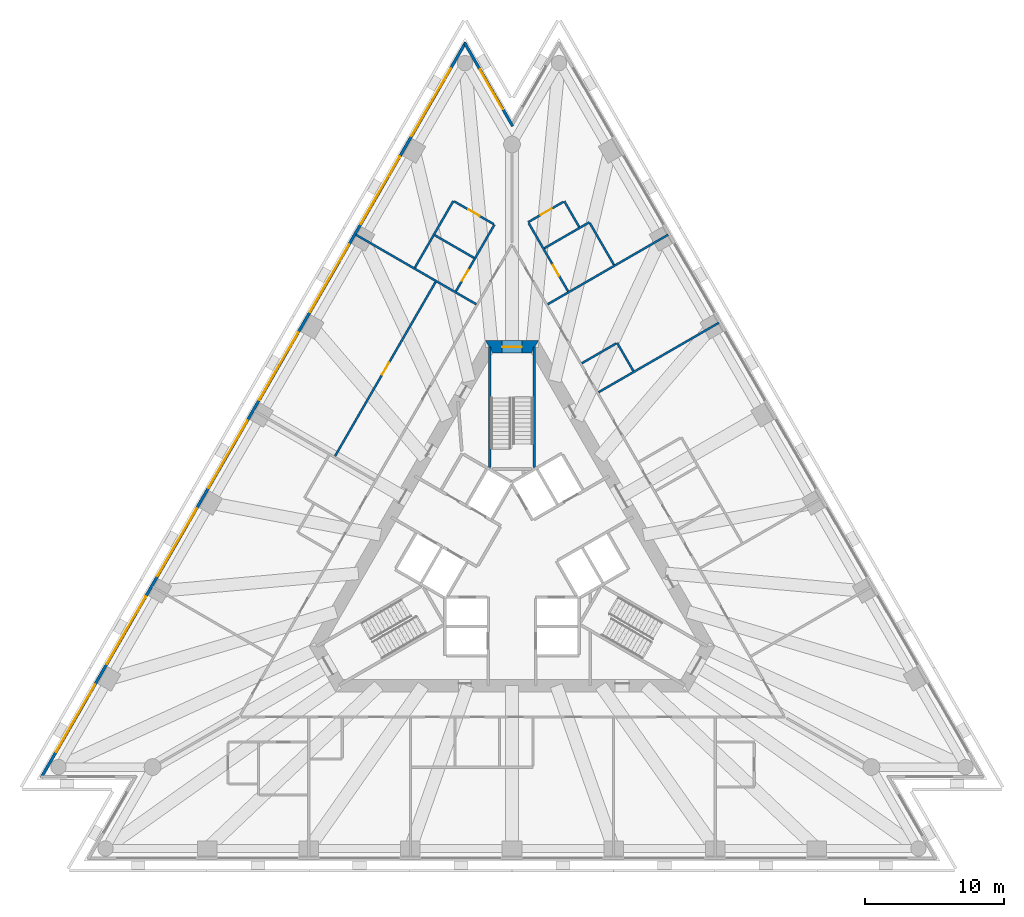
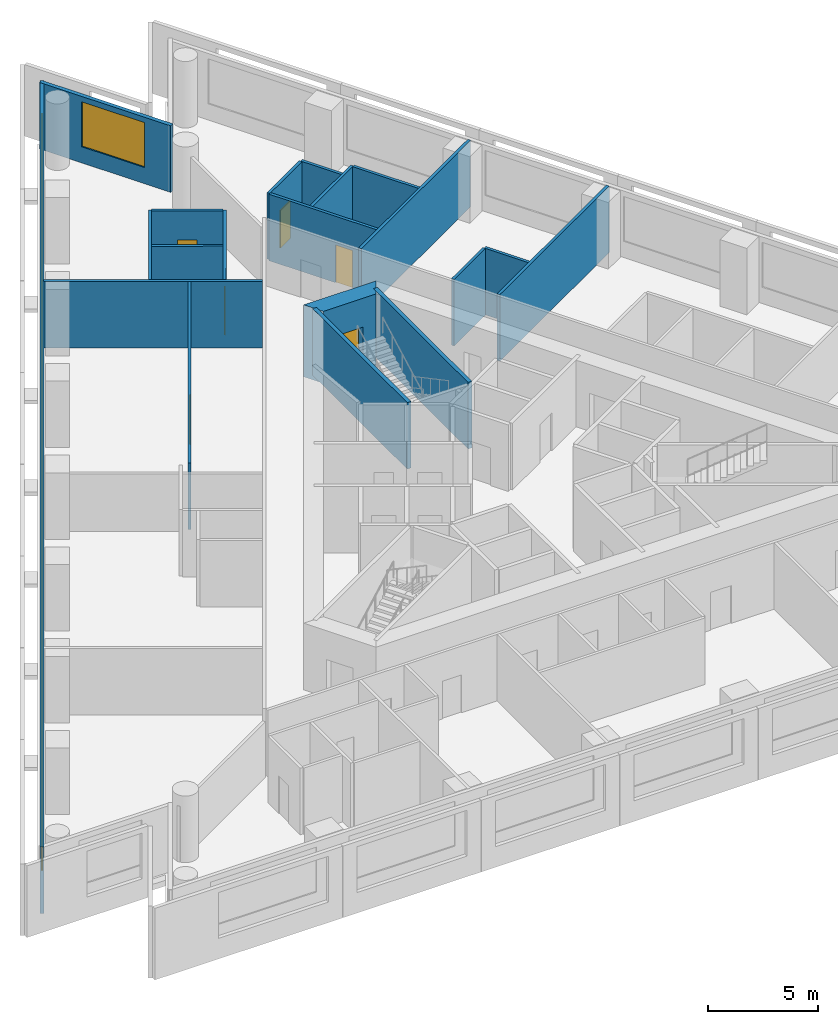
# One storey, part 7 of 11: 20 walls, 9 windows, 6 doors, 15 openings.
"""IFC4 building model written with IfcOpenShell, lengths in metres."""

import ifcopenshell
import ifcopenshell.guid

model = None  # the IFC model being written
_history = None  # IfcOwnerHistory: only IFC2X3 demands one
_inside = {}  # id of a spatial element -> (the spatial element, [elements in it])
_under = {}  # id of a project, library or spatial element -> (it, [spatial elements below it])
_declared = {}  # id of a project -> (the project, [libraries it declares])
_typed = {}  # id of a type object -> (the type object, [elements of that type])
_made_of = {}  # id of a material, layer set ... -> (it, [elements and type objects made of it])


def new_model(schema):
    """Start an empty IFC model of exactly this schema.

    Asked for "IFC4X3", IfcOpenShell would pick the latest addendum, in which some entities
    have other attributes; the version numbers below select the first issue.
    IFC2X3 requires an IfcOwnerHistory on every rooted entity: one is made here for all.
    """
    global model, _history
    if schema == "IFC4X3":
        model = ifcopenshell.file(schema_version=(4, 3, 0, 0))
    else:
        model = ifcopenshell.file(schema=schema)
    _inside.clear()
    _under.clear()
    _declared.clear()
    _typed.clear()
    _made_of.clear()
    _history = None
    if model.schema == "IFC2X3":
        org = make("IfcOrganization", Name="unknown")
        user = make(
            "IfcPersonAndOrganization",
            ThePerson=make("IfcPerson", FamilyName="unknown"),
            TheOrganization=org,
        )
        app = make(
            "IfcApplication",
            ApplicationDeveloper=org,
            Version="unknown",
            ApplicationFullName="unknown",
            ApplicationIdentifier="unknown",
        )
        _history = make(
            "IfcOwnerHistory",
            OwningUser=user,
            OwningApplication=app,
            ChangeAction="ADDED",
            CreationDate=0,
        )
    return model


def make(cls, **values):
    """One entity of the class cls with the attributes given. An attribute that is None is left unset."""
    return model.create_entity(
        cls, **{name: value for name, value in values.items() if value is not None}
    )


def rooted(cls, **values):
    """An entity with a GlobalId (a new one), such as an element, a storey or a relation."""
    return make(cls, GlobalId=ifcopenshell.guid.new(), OwnerHistory=_history, **values)


def si_unit(unit_type, name, prefix=None):
    """IfcSIUnit, for example si_unit("LENGTHUNIT", "METRE", prefix="MILLI")."""
    return make("IfcSIUnit", UnitType=unit_type, Prefix=prefix, Name=name)


def assignment(units):
    """IfcUnitAssignment: the units of a project."""
    return None if units is None else make("IfcUnitAssignment", Units=units)


def point(xyz):
    """IfcCartesianPoint."""
    return None if xyz is None else make("IfcCartesianPoint", Coordinates=xyz)


def direction(xyz):
    """IfcDirection."""
    return None if xyz is None else make("IfcDirection", DirectionRatios=xyz)


def frame(location, z_axis=None, x_axis=None):
    """IfcAxis2Placement3D, a coordinate frame: its origin and axes. An axis left out is left unset."""
    return make(
        "IfcAxis2Placement3D",
        Location=point(location),
        Axis=direction(z_axis),
        RefDirection=direction(x_axis),
    )


def frame_2d(location, x_axis=None):
    """IfcAxis2Placement2D, a coordinate frame in the plane: its origin and x axis."""
    return make(
        "IfcAxis2Placement2D", Location=point(location), RefDirection=direction(x_axis)
    )


def origin():
    """The frame at (0, 0, 0) with its axes left unset."""
    return frame((0.0, 0.0, 0.0))


def place(relative_to, where):
    """IfcLocalPlacement: puts the frame where relative to a parent placement (None: the world)."""
    return make(
        "IfcLocalPlacement", PlacementRelTo=relative_to, RelativePlacement=where
    )


def context(
    kind, dimensions, precision=None, world=None, true_north=None, identifier=None
):
    """IfcGeometricRepresentationContext, for example the 3D "Model" context."""
    return make(
        "IfcGeometricRepresentationContext",
        ContextIdentifier=identifier,
        ContextType=kind,
        CoordinateSpaceDimension=dimensions,
        Precision=precision,
        WorldCoordinateSystem=world,
        TrueNorth=true_north,
    )


def subcontext(parent, identifier, kind, view, scale=None):
    """IfcGeometricRepresentationSubContext, for example "Body" below "Model"."""
    return make(
        "IfcGeometricRepresentationSubContext",
        ContextIdentifier=identifier,
        ContextType=kind,
        ParentContext=parent,
        TargetScale=scale,
        TargetView=view,
    )


def project(units=None, contexts=None):
    """IfcProject with its units and contexts."""
    return rooted(
        "IfcProject",
        Name="project",
        RepresentationContexts=contexts,
        UnitsInContext=assignment(units),
    )


def spatial(cls, under=None, at=None, **own):
    """A site, building, storey or space (cls), placed at a placement, below another one or the project."""
    s = rooted(cls, ObjectPlacement=at, **own)
    if under is not None:
        _under.setdefault(under.id(), (under, []))[1].append(s)
    return s


def polyline(points):
    """IfcPolyline through the points."""
    return make("IfcPolyline", Points=[point(p) for p in points])


def profile(cls, at=None, kind="AREA", **sizes):
    """A parametric profile (cls). Its sizes go by their IFC names, for example OverallWidth=200.0."""
    return make(cls, ProfileType=kind, Position=at, **sizes)


def rectangle(**sizes):
    """IfcRectangleProfileDef."""
    return profile("IfcRectangleProfileDef", **sizes)


def outline(outer, holes=None, kind="AREA"):
    """IfcArbitraryClosedProfileDef: a profile drawn as a closed curve; with holes, ...WithVoids."""
    if holes is None:
        return make("IfcArbitraryClosedProfileDef", ProfileType=kind, OuterCurve=outer)
    return make(
        "IfcArbitraryProfileDefWithVoids",
        ProfileType=kind,
        OuterCurve=outer,
        InnerCurves=holes,
    )


def extrude(swept, where, along, depth):
    """IfcExtrudedAreaSolid: the profile swept, set in the frame where, extruded along a direction by depth."""
    return make(
        "IfcExtrudedAreaSolid",
        SweptArea=swept,
        Position=where,
        ExtrudedDirection=direction(along),
        Depth=depth,
    )


def shape(context_of_items, identifier, shape_type, items):
    """IfcShapeRepresentation: the items that make up one representation, for example the "Body"."""
    return make(
        "IfcShapeRepresentation",
        ContextOfItems=context_of_items,
        RepresentationIdentifier=identifier,
        RepresentationType=shape_type,
        Items=items,
    )


def material(Name=None, Category=None):
    """IfcMaterial."""
    return make("IfcMaterial", Name=Name, Category=Category)


def layer(
    of_material, thickness, ventilated=None, Name=None, Category=None, Priority=None
):
    """IfcMaterialLayer: one layer of a wall or slab, of a material (None: an air gap)."""
    return make(
        "IfcMaterialLayer",
        Material=of_material,
        LayerThickness=thickness,
        IsVentilated=ventilated,
        Name=Name,
        Category=Category,
        Priority=Priority,
    )


def layer_set(layers, Name=None):
    """IfcMaterialLayerSet."""
    return make("IfcMaterialLayerSet", MaterialLayers=layers, LayerSetName=Name)


def layer_usage(for_layer_set, set_direction, sense, offset, extent=None):
    """IfcMaterialLayerSetUsage: how a layer set lies in its element."""
    return make(
        "IfcMaterialLayerSetUsage",
        ForLayerSet=for_layer_set,
        LayerSetDirection=set_direction,
        DirectionSense=sense,
        OffsetFromReferenceLine=offset,
        ReferenceExtent=extent,
    )


def made_of(thing, what):
    """Note that an element or type object is made of a material, layer set ...; save() writes the relation."""
    if what is not None:
        _made_of.setdefault(what.id(), (what, []))[1].append(thing)
    return thing


def type_object(cls, material=None, **own):
    """A type object (cls), such as IfcWallType, which elements share."""
    return made_of(rooted(cls, **own), material)


def element(
    cls,
    number,
    at=None,
    inside=None,
    cuts=None,
    type_object=None,
    material=None,
    context=None,
    identifier="Body",
    shape_type=None,
    held_by="IfcProductDefinitionShape",
    body=None,
    shapes=None,
    **own,
):
    """One element of the class cls, such as IfcWall. Its Tag is "e" and its number.

    at: its placement. inside: the storey or other place that contains it. cuts: it is an
    opening in that element (IfcRelVoidsElement). A single representation is given by context,
    identifier, shape_type and body (its items); several are given by shapes. held_by: the class
    of the entity that holds the representations. save() writes the other relations.
    """
    e = rooted(cls, Tag="e%d" % number, ObjectPlacement=at, **own)
    if body is not None:
        shapes = [shape(context, identifier, shape_type, body)]
    if shapes is not None:
        e.Representation = make(held_by, Representations=shapes)
    if inside is not None:
        _inside.setdefault(inside.id(), (inside, []))[1].append(e)
    if cuts is not None:
        rooted(
            "IfcRelVoidsElement", RelatingBuildingElement=cuts, RelatedOpeningElement=e
        )
    if type_object is not None:
        _typed.setdefault(type_object.id(), (type_object, []))[1].append(e)
    return made_of(e, material)


def fill(opening, filler):
    """IfcRelFillsElement: the door or window that sits in an opening."""
    return rooted(
        "IfcRelFillsElement",
        RelatingOpeningElement=opening,
        RelatedBuildingElement=filler,
    )


def aggregate(whole, parts):
    """IfcRelAggregates: a whole, such as a stair, and the parts it consists of."""
    return rooted("IfcRelAggregates", RelatingObject=whole, RelatedObjects=parts)


def save(model, path):
    """Write the relations noted so far, then the file.

    IfcRelAggregates (storeys below a building ...), IfcRelContainedInSpatialStructure (elements
    in a storey), IfcRelDefinesByType, IfcRelAssociatesMaterial and IfcRelDeclares: one each for
    every whole, place, type object, material and project.
    """
    for whole, parts in _under.values():
        aggregate(whole, parts)
    for where, things in _inside.values():
        rooted(
            "IfcRelContainedInSpatialStructure",
            RelatedElements=things,
            RelatingStructure=where,
        )
    for kind, things in _typed.values():
        rooted("IfcRelDefinesByType", RelatedObjects=things, RelatingType=kind)
    for what, things in _made_of.values():
        rooted("IfcRelAssociatesMaterial", RelatedObjects=things, RelatingMaterial=what)
    for by, libraries in _declared.values():
        rooted("IfcRelDeclares", RelatingContext=by, RelatedDefinitions=libraries)
    model.write(path)


model = new_model("IFC4")

# Units and contexts
model_context = context("Model", 3, precision=1e-05, world=origin(), true_north=direction((0.0, 1.0)))
body_context = subcontext(model_context, "Body", "Model", "MODEL_VIEW")
ifc_project = project(units=[si_unit("LENGTHUNIT", "METRE"), si_unit("AREAUNIT", "SQUARE_METRE"), si_unit("VOLUMEUNIT", "CUBIC_METRE"), si_unit("PLANEANGLEUNIT", "RADIAN"), si_unit("MASSUNIT", "GRAM", prefix="KILO")], contexts=[model_context])

# Site, building, storey
site_placement = place(None, origin())
site = spatial("IfcSite", under=ifc_project, at=site_placement, CompositionType="ELEMENT")
building_placement = place(site_placement, origin())
building = spatial("IfcBuilding", under=site, at=building_placement, Name="Triada Interchange Tower", CompositionType="ELEMENT")
storey_placement = place(building_placement, frame((0.0, 0.0, 79.300048828125)))
storey = spatial("IfcBuildingStorey", under=building, at=storey_placement, Name="L17", CompositionType="ELEMENT", Elevation=79.300048828125)

# Walls
ifc_material_1 = material(Name="Concrete C30/37", Category="concrete")
ifc_layer_1 = layer(ifc_material_1, 0.199951171875)
ifc_layer_set_1 = layer_set([ifc_layer_1], Name="CORE WALL 200 REI 240")
wall_type_1 = type_object("IfcWallType", Name="CORE WALL 200 REI 240", PredefinedType="SOLIDWALL", material=ifc_layer_set_1)
for number, where, z_axis, x_axis, name in (
    (1, (1.60009765625, 6.614990234375, 0.0), (0.0, 0.0, 1.0), (0.0, 1.0, 0.0), "Wall L15 96"),
    (2, (-1.60009765625, 6.614990234375, 0.0), (0.0, 0.0, 1.0), (0.0, 1.0, 0.0), "Wall L15 98"),
):
    element("IfcWall", number, at=place(storey_placement, frame(where, z_axis=z_axis, x_axis=x_axis)), inside=storey, type_object=wall_type_1, Name=name, PredefinedType="SOLIDWALL", context=body_context, shape_type="SweptSolid", body=[
        extrude(rectangle(XDim=8.614990234375, YDim=0.199951171875, at=frame_2d((4.3076171875, 0.0))), origin(), (0.0, 0.0, 1.0), 3.699951171875),
    ])

# Wall, opening, door
ifc_material_2 = material(Name="Concrete C70/85", Category="concrete")
ifc_layer_2 = layer(ifc_material_2, 0.89990234375)
ifc_layer_set_2 = layer_set([ifc_layer_2], Name="Core wall A 900")
wall_type_2 = type_object("IfcWallType", Name="Core wall A 900", PredefinedType="SHEAR", material=ifc_layer_set_2)
wall_1_placement = place(storey_placement, frame((1.64501953125, 15.25, -0.300048828125), z_axis=(0.0, 0.0, 1.0), x_axis=(-1.0, 0.0, 0.0)))
wall_1 = element("IfcWall", 3, at=wall_1_placement, inside=storey, type_object=wall_type_2, Name="Core wall WA01 L17", PredefinedType="SHEAR", context=body_context, shape_type="SweptSolid", body=[
    extrude(outline(polyline([(-0.260009765625, -0.449951171875), (1.64501953125, -0.449951171875), (3.550048828125, -0.449951171875), (3.031005859375, 0.449951171875), (1.64501953125, 0.449951171875), (0.259033203125, 0.449951171875), (-0.260009765625, -0.449951171875)])), origin(), (0.0, 0.0, 1.0), 4.0),
])
opening_1_placement = place(wall_1_placement, frame((0.945068359375, 0.0, 0.300048828125)))
opening_1 = element("IfcOpeningElement", 4, at=opening_1_placement, cuts=wall_1, Name="Opening D15-44", PredefinedType="OPENING", context=body_context, shape_type="SweptSolid", body=[
    extrude(rectangle(XDim=1.39990234375, YDim=2.10009765625, at=frame_2d((0.699951171875, 1.050048828125))), frame((0.0, 0.4599609375, 0.0), z_axis=(0.0, -1.0, 0.0), x_axis=(1.0, 0.0, 0.0)), (0.0, 0.0, 1.0), 0.919921875),
])
ifc_material_3 = material(Name="Steel S235 door leaf", Category="steel")
door_type_1 = type_object("IfcDoorType", Name="STAIR DOOR 1400 EI2 90-C5S200", OperationType="DOUBLE_DOOR_SINGLE_SWING", PredefinedType="DOOR", material=ifc_material_3)
door_1_placement = place(opening_1_placement, origin())
door_1 = element("IfcDoor", 5, at=door_1_placement, inside=storey, type_object=door_type_1, Name="Door D15-44 L17", OperationType="DOUBLE_DOOR_SINGLE_SWING", OverallHeight=2.10009765625, OverallWidth=1.39990234375, PredefinedType="DOOR", context=body_context, shape_type="SweptSolid", body=[
    extrude(rectangle(XDim=1.39990234375, YDim=2.10009765625, at=frame_2d((0.699951171875, 1.050048828125))), frame((0.0, 0.02490234375, 0.0), z_axis=(0.0, -1.0, 0.0), x_axis=(1.0, 0.0, 0.0)), (0.0, 0.0, 1.0), 0.050048828125),
])
fill(opening_1, door_1)

# Wall, openings, windows
ifc_material_4 = material(Name="Cement board")
ifc_layer_3 = layer(ifc_material_4, 0.02001953125, Name="Cement board cladding")
ifc_material_5 = material(Name="Sheathing board")
ifc_layer_4 = layer(ifc_material_5, 0.014892578125, Name="Sheathing board")
ifc_material_6 = material(Name="Mineral wool")
ifc_layer_5 = layer(ifc_material_6, 0.14990234375, Name="Mineral wool between steel studs")
ifc_material_7 = material(Name="Gypsum board")
ifc_layer_6 = layer(ifc_material_7, 0.014892578125, Name="Plasterboard lining")
ifc_layer_set_3 = layer_set([ifc_layer_3, ifc_layer_4, ifc_layer_5, ifc_layer_6], Name="External wall 200")
ifc_layer_usage = layer_usage(ifc_layer_set_3, "AXIS2", "POSITIVE", -0.10009765625)
wall_type_3 = type_object("IfcWallType", Name="External wall 200", PredefinedType="ELEMENTEDWALL", material=ifc_layer_set_3)
wall_2_placement = place(storey_placement, frame((-3.325927734375, 37.083984375, 0.0), z_axis=(0.0, 0.0, 1.0), x_axis=(-0.500000131003, -0.86602532815, 0.0)))
wall_2 = element("IfcWall", 6, at=wall_2_placement, inside=storey, type_object=wall_type_3, material=ifc_layer_usage, Name="External wall L17 NW", PredefinedType="ELEMENTEDWALL", context=body_context, shape_type="SweptSolid", body=[
    extrude(rectangle(XDim=60.88623046875, YDim=0.199951171875, at=frame_2d((30.443115234375, 0.0))), origin(), (0.0, 0.0, 1.0), 3.699951171875),
])
opening_2_placement = place(wall_2_placement, frame((2.14599609375, 0.0, 0.89990234375)))
opening_2 = element("IfcOpeningElement", 7, at=opening_2_placement, cuts=wall_2, Name="Opening WA01", PredefinedType="OPENING", context=body_context, shape_type="SweptSolid", body=[
    extrude(rectangle(XDim=5.60009765625, YDim=2.5, at=frame_2d((2.800048828125, 1.25))), frame((0.0, 0.10986328125, 0.0), z_axis=(0.0, -1.0, 0.0), x_axis=(1.0, 0.0, 0.0)), (0.0, 0.0, 1.0), 0.219970703125),
])
opening_3_placement = place(wall_2_placement, frame((9.43408203125, 0.0, 0.89990234375)))
opening_3 = element("IfcOpeningElement", 8, at=opening_3_placement, cuts=wall_2, Name="Opening WA02", PredefinedType="OPENING", context=body_context, shape_type="SweptSolid", body=[
    extrude(rectangle(XDim=5.60009765625, YDim=2.5, at=frame_2d((2.800048828125, 1.25))), frame((0.0, 0.10986328125, 0.0), z_axis=(0.0, -1.0, 0.0), x_axis=(1.0, 0.0, 0.0)), (0.0, 0.0, 1.0), 0.219970703125),
])
opening_4_placement = place(wall_2_placement, frame((16.720947265625, 0.0, 0.89990234375)))
opening_4 = element("IfcOpeningElement", 9, at=opening_4_placement, cuts=wall_2, Name="Opening WA03", PredefinedType="OPENING", context=body_context, shape_type="SweptSolid", body=[
    extrude(rectangle(XDim=5.60009765625, YDim=2.5, at=frame_2d((2.800048828125, 1.25))), frame((0.0, 0.10986328125, 0.0), z_axis=(0.0, -1.0, 0.0), x_axis=(1.0, 0.0, 0.0)), (0.0, 0.0, 1.0), 0.219970703125),
])
opening_5_placement = place(wall_2_placement, frame((24.009033203125, 0.0, 0.89990234375)))
opening_5 = element("IfcOpeningElement", 10, at=opening_5_placement, cuts=wall_2, Name="Opening WA04", PredefinedType="OPENING", context=body_context, shape_type="SweptSolid", body=[
    extrude(rectangle(XDim=5.60009765625, YDim=2.5, at=frame_2d((2.800048828125, 1.25))), frame((0.0, 0.10986328125, 0.0), z_axis=(0.0, -1.0, 0.0), x_axis=(1.0, 0.0, 0.0)), (0.0, 0.0, 1.0), 0.219970703125),
])
opening_6_placement = place(wall_2_placement, frame((31.297119140625, 0.0, 0.89990234375)))
opening_6 = element("IfcOpeningElement", 11, at=opening_6_placement, cuts=wall_2, Name="Opening WA05", PredefinedType="OPENING", context=body_context, shape_type="SweptSolid", body=[
    extrude(rectangle(XDim=5.60009765625, YDim=2.5, at=frame_2d((2.800048828125, 1.25))), frame((0.0, 0.10986328125, 0.0), z_axis=(0.0, -1.0, 0.0), x_axis=(1.0, 0.0, 0.0)), (0.0, 0.0, 1.0), 0.219970703125),
])
opening_7_placement = place(wall_2_placement, frame((38.583984375, 0.0, 0.89990234375)))
opening_7 = element("IfcOpeningElement", 12, at=opening_7_placement, cuts=wall_2, Name="Opening WA06", PredefinedType="OPENING", context=body_context, shape_type="SweptSolid", body=[
    extrude(rectangle(XDim=5.60009765625, YDim=2.5, at=frame_2d((2.800048828125, 1.25))), frame((0.0, 0.10986328125, 0.0), z_axis=(0.0, -1.0, 0.0), x_axis=(1.0, 0.0, 0.0)), (0.0, 0.0, 1.0), 0.219970703125),
])
opening_8_placement = place(wall_2_placement, frame((45.8720703125, 0.0, 0.89990234375)))
opening_8 = element("IfcOpeningElement", 13, at=opening_8_placement, cuts=wall_2, Name="Opening WA07", PredefinedType="OPENING", context=body_context, shape_type="SweptSolid", body=[
    extrude(rectangle(XDim=5.60009765625, YDim=2.5, at=frame_2d((2.800048828125, 1.25))), frame((0.0, 0.10986328125, 0.0), z_axis=(0.0, -1.0, 0.0), x_axis=(1.0, 0.0, 0.0)), (0.0, 0.0, 1.0), 0.219970703125),
])
opening_9_placement = place(wall_2_placement, frame((53.158935546875, 0.0, 0.89990234375)))
opening_9 = element("IfcOpeningElement", 14, at=opening_9_placement, cuts=wall_2, Name="Opening WA08", PredefinedType="OPENING", context=body_context, shape_type="SweptSolid", body=[
    extrude(rectangle(XDim=5.60009765625, YDim=2.5, at=frame_2d((2.800048828125, 1.25))), frame((0.0, 0.10986328125, 0.0), z_axis=(0.0, -1.0, 0.0), x_axis=(1.0, 0.0, 0.0)), (0.0, 0.0, 1.0), 0.219970703125),
])
ifc_material_8 = material(Name="Double glazed aluminium window", Category="aluminium")
window_type_1 = type_object("IfcWindowType", Name="Ribbon window A face", PartitioningType="SINGLE_PANEL", PredefinedType="WINDOW", material=ifc_material_8)
window_1_placement = place(opening_2_placement, origin())
window_1 = element("IfcWindow", 15, at=window_1_placement, inside=storey, type_object=window_type_1, Name="Window L17 NW 1", OverallHeight=2.5, OverallWidth=5.60009765625, PartitioningType="SINGLE_PANEL", PredefinedType="WINDOW", context=body_context, shape_type="SweptSolid", body=[
    extrude(rectangle(XDim=5.60009765625, YDim=2.5, at=frame_2d((2.800048828125, 1.25))), frame((0.0, 0.030029296875, 0.0), z_axis=(0.0, -1.0, 0.0), x_axis=(1.0, 0.0, 0.0)), (0.0, 0.0, 1.0), 0.06005859375),
])
fill(opening_2, window_1)
window_2_placement = place(opening_3_placement, origin())
window_2 = element("IfcWindow", 16, at=window_2_placement, inside=storey, type_object=window_type_1, Name="Window L17 NW 2", OverallHeight=2.5, OverallWidth=5.60009765625, PartitioningType="SINGLE_PANEL", PredefinedType="WINDOW", context=body_context, shape_type="SweptSolid", body=[
    extrude(rectangle(XDim=5.60009765625, YDim=2.5, at=frame_2d((2.800048828125, 1.25))), frame((0.0, 0.030029296875, 0.0), z_axis=(0.0, -1.0, 0.0), x_axis=(1.0, 0.0, 0.0)), (0.0, 0.0, 1.0), 0.06005859375),
])
fill(opening_3, window_2)
window_3_placement = place(opening_4_placement, origin())
window_3 = element("IfcWindow", 17, at=window_3_placement, inside=storey, type_object=window_type_1, Name="Window L17 NW 3", OverallHeight=2.5, OverallWidth=5.60009765625, PartitioningType="SINGLE_PANEL", PredefinedType="WINDOW", context=body_context, shape_type="SweptSolid", body=[
    extrude(rectangle(XDim=5.60009765625, YDim=2.5, at=frame_2d((2.800048828125, 1.25))), frame((0.0, 0.030029296875, 0.0), z_axis=(0.0, -1.0, 0.0), x_axis=(1.0, 0.0, 0.0)), (0.0, 0.0, 1.0), 0.06005859375),
])
fill(opening_4, window_3)
window_4_placement = place(opening_5_placement, origin())
window_4 = element("IfcWindow", 18, at=window_4_placement, inside=storey, type_object=window_type_1, Name="Window L17 NW 4", OverallHeight=2.5, OverallWidth=5.60009765625, PartitioningType="SINGLE_PANEL", PredefinedType="WINDOW", context=body_context, shape_type="SweptSolid", body=[
    extrude(rectangle(XDim=5.60009765625, YDim=2.5, at=frame_2d((2.800048828125, 1.25))), frame((0.0, 0.030029296875, 0.0), z_axis=(0.0, -1.0, 0.0), x_axis=(1.0, 0.0, 0.0)), (0.0, 0.0, 1.0), 0.06005859375),
])
fill(opening_5, window_4)
window_5_placement = place(opening_6_placement, origin())
window_5 = element("IfcWindow", 19, at=window_5_placement, inside=storey, type_object=window_type_1, Name="Window L17 NW 5", OverallHeight=2.5, OverallWidth=5.60009765625, PartitioningType="SINGLE_PANEL", PredefinedType="WINDOW", context=body_context, shape_type="SweptSolid", body=[
    extrude(rectangle(XDim=5.60009765625, YDim=2.5, at=frame_2d((2.800048828125, 1.25))), frame((0.0, 0.030029296875, 0.0), z_axis=(0.0, -1.0, 0.0), x_axis=(1.0, 0.0, 0.0)), (0.0, 0.0, 1.0), 0.06005859375),
])
fill(opening_6, window_5)
window_6_placement = place(opening_7_placement, origin())
window_6 = element("IfcWindow", 20, at=window_6_placement, inside=storey, type_object=window_type_1, Name="Window L17 NW 6", OverallHeight=2.5, OverallWidth=5.60009765625, PartitioningType="SINGLE_PANEL", PredefinedType="WINDOW", context=body_context, shape_type="SweptSolid", body=[
    extrude(rectangle(XDim=5.60009765625, YDim=2.5, at=frame_2d((2.800048828125, 1.25))), frame((0.0, 0.030029296875, 0.0), z_axis=(0.0, -1.0, 0.0), x_axis=(1.0, 0.0, 0.0)), (0.0, 0.0, 1.0), 0.06005859375),
])
fill(opening_7, window_6)
window_7_placement = place(opening_8_placement, origin())
window_7 = element("IfcWindow", 21, at=window_7_placement, inside=storey, type_object=window_type_1, Name="Window L17 NW 7", OverallHeight=2.5, OverallWidth=5.60009765625, PartitioningType="SINGLE_PANEL", PredefinedType="WINDOW", context=body_context, shape_type="SweptSolid", body=[
    extrude(rectangle(XDim=5.60009765625, YDim=2.5, at=frame_2d((2.800048828125, 1.25))), frame((0.0, 0.030029296875, 0.0), z_axis=(0.0, -1.0, 0.0), x_axis=(1.0, 0.0, 0.0)), (0.0, 0.0, 1.0), 0.06005859375),
])
fill(opening_8, window_7)
window_8_placement = place(opening_9_placement, origin())
window_8 = element("IfcWindow", 22, at=window_8_placement, inside=storey, type_object=window_type_1, Name="Window L17 NW 8", OverallHeight=2.5, OverallWidth=5.60009765625, PartitioningType="SINGLE_PANEL", PredefinedType="WINDOW", context=body_context, shape_type="SweptSolid", body=[
    extrude(rectangle(XDim=5.60009765625, YDim=2.5, at=frame_2d((2.800048828125, 1.25))), frame((0.0, 0.030029296875, 0.0), z_axis=(0.0, -1.0, 0.0), x_axis=(1.0, 0.0, 0.0)), (0.0, 0.0, 1.0), 0.06005859375),
])
fill(opening_9, window_8)

# Wall, opening, window
wall_3_placement = place(storey_placement, frame((0.044921875, 31.090087890625, 0.0), z_axis=(0.0, 0.0, 1.0), x_axis=(-0.500023561059, 0.866011800373, 0.0)))
wall_3 = element("IfcWall", 23, at=wall_3_placement, inside=storey, type_object=wall_type_3, material=ifc_layer_usage, Name="External wall L17 N-2", PredefinedType="ELEMENTEDWALL", context=body_context, shape_type="SweptSolid", body=[
    extrude(rectangle(XDim=6.901611328125, YDim=0.199951171875, at=frame_2d((3.45068359375, 0.0))), origin(), (0.0, 0.0, 1.0), 3.699951171875),
])
opening_10_placement = place(wall_3_placement, frame((1.389892578125, 0.0, 0.89990234375)))
opening_10 = element("IfcOpeningElement", 24, at=opening_10_placement, cuts=wall_3, Name="Opening WA30", PredefinedType="OPENING", context=body_context, shape_type="SweptSolid", body=[
    extrude(rectangle(XDim=3.300048828125, YDim=2.5, at=frame_2d((1.64990234375, 1.25))), frame((0.0, 0.10986328125, 0.0), z_axis=(0.0, -1.0, 0.0), x_axis=(1.0, 0.0, 0.0)), (0.0, 0.0, 1.0), 0.219970703125),
])
window_type_2 = type_object("IfcWindowType", Name="Ribbon window A pocket", PartitioningType="SINGLE_PANEL", PredefinedType="WINDOW", material=ifc_material_8)
window_9_placement = place(opening_10_placement, origin())
window_9 = element("IfcWindow", 25, at=window_9_placement, inside=storey, type_object=window_type_2, Name="Window L17 N-2 1", OverallHeight=2.5, OverallWidth=3.300048828125, PartitioningType="SINGLE_PANEL", PredefinedType="WINDOW", context=body_context, shape_type="SweptSolid", body=[
    extrude(rectangle(XDim=3.300048828125, YDim=2.5, at=frame_2d((1.64990234375, 1.25))), frame((0.0, 0.030029296875, 0.0), z_axis=(0.0, -1.0, 0.0), x_axis=(1.0, 0.0, 0.0)), (0.0, 0.0, 1.0), 0.06005859375),
])
fill(opening_10, window_9)

# Walls
ifc_material_9 = material(Name="Gypsum board partition")
ifc_layer_7 = layer(ifc_material_9, 0.14990234375)
ifc_layer_set_4 = layer_set([ifc_layer_7], Name="PARTITION 150 EI 180")
wall_type_4 = type_object("IfcWallType", Name="PARTITION 150 EI 180", PredefinedType="PARTITIONING", material=ifc_layer_set_4)
for number, where, z_axis, x_axis, name in (
    (26, (-11.195068359375, 23.2939453125, 0.0), (0.0, 0.0, 1.0), (0.866018758693, -0.500011509459, 0.0), "Wall L15 14"),
    (27, (2.56298828125, 18.31005859375, 0.0), (0.0, 0.0, 1.0), (0.866018758693, 0.500011509459, 0.0), "Wall L15 22"),
):
    element("IfcWall", number, at=place(storey_placement, frame(where, z_axis=z_axis, x_axis=x_axis)), inside=storey, type_object=wall_type_4, Name=name, PredefinedType="PARTITIONING", context=body_context, shape_type="SweptSolid", body=[
        extrude(rectangle(XDim=9.967529296875, YDim=0.14990234375, at=frame_2d((4.98388671875, 0.0))), origin(), (0.0, 0.0, 1.0), 3.699951171875),
    ])
wall_4_placement = place(storey_placement, frame((7.5400390625, 15.5400390625, 0.0), z_axis=(0.0, 0.0, 1.0), x_axis=(0.499988999718, -0.866031754707, 0.0)))
element("IfcWall", 28, at=wall_4_placement, inside=storey, type_object=wall_type_4, Name="Wall L15 23", PredefinedType="PARTITIONING", context=body_context, shape_type="SweptSolid", body=[
    extrude(rectangle(XDim=2.32568359375, YDim=0.14990234375, at=frame_2d((1.162841796875, 0.0))), origin(), (0.0, 0.0, 1.0), 3.699951171875),
])
wall_5_placement = place(storey_placement, frame((5.007080078125, 14.076904296875, 0.0), z_axis=(0.0, 0.0, 1.0), x_axis=(0.866090043625, 0.499888023795, 0.0)))
element("IfcWall", 29, at=wall_5_placement, inside=storey, type_object=wall_type_4, Name="Wall L15 24", PredefinedType="PARTITIONING", context=body_context, shape_type="SweptSolid", body=[
    extrude(rectangle(XDim=2.850830078125, YDim=0.14990234375, at=frame_2d((1.42529296875, 0.0))), origin(), (0.0, 0.0, 1.0), 3.699951171875),
])
wall_6_placement = place(storey_placement, frame((6.20703125, 11.9990234375, 0.0), z_axis=(0.0, 0.0, 1.0), x_axis=(0.866061182393, 0.499938024511, 0.0)))
element("IfcWall", 30, at=wall_6_placement, inside=storey, type_object=wall_type_4, Name="Wall L15 25", PredefinedType="PARTITIONING", context=body_context, shape_type="SweptSolid", body=[
    extrude(rectangle(XDim=9.967041015625, YDim=0.14990234375, at=frame_2d((4.9833984375, 0.0))), origin(), (0.0, 0.0, 1.0), 3.699951171875),
])

# Wall, opening, door
ifc_layer_8 = layer(ifc_material_9, 0.14990234375)
ifc_layer_set_5 = layer_set([ifc_layer_8], Name="PARTITION 150 EI 90")
wall_type_5 = type_object("IfcWallType", Name="PARTITION 150 EI 90", PredefinedType="PARTITIONING", material=ifc_layer_set_5)
wall_7_placement = place(storey_placement, frame((-12.693115234375, 7.4150390625, 0.0), z_axis=(0.0, 0.0, 1.0), x_axis=(0.500017889033, 0.8660150753, 0.0)))
wall_7 = element("IfcWall", 31, at=wall_7_placement, inside=storey, type_object=wall_type_5, Name="Wall L15 40", PredefinedType="PARTITIONING", context=body_context, shape_type="SweptSolid", body=[
    extrude(rectangle(XDim=14.42578125, YDim=0.14990234375, at=frame_2d((7.212890625, 0.0))), origin(), (0.0, 0.0, 1.0), 3.699951171875),
])
opening_11_placement = place(wall_7_placement, frame((6.7509765625, 0.0, 0.0)))
opening_11 = element("IfcOpeningElement", 32, at=opening_11_placement, cuts=wall_7, Name="Opening D15-38", PredefinedType="OPENING", context=body_context, shape_type="SweptSolid", body=[
    extrude(rectangle(XDim=1.0, YDim=2.10009765625, at=frame_2d((0.5, 1.050048828125))), frame((0.0, 0.0849609375, 0.0), z_axis=(0.0, -1.0, 0.0), x_axis=(1.0, 0.0, 0.0)), (0.0, 0.0, 1.0), 0.169921875),
])
door_type_2 = type_object("IfcDoorType", Name="ROOM DOOR 1000 EI2 45-C5S200", OperationType="NOTDEFINED", PredefinedType="DOOR", material=ifc_material_3)
door_2_placement = place(opening_11_placement, origin())
door_2 = element("IfcDoor", 33, at=door_2_placement, inside=storey, type_object=door_type_2, Name="Door D15-38 L17", OperationType="SINGLE_SWING_LEFT", OverallHeight=2.10009765625, OverallWidth=1.0, PredefinedType="DOOR", context=body_context, shape_type="SweptSolid", body=[
    extrude(rectangle(XDim=1.0, YDim=2.10009765625, at=frame_2d((0.5, 1.050048828125))), frame((0.0, 0.02490234375, 0.0), z_axis=(0.0, -1.0, 0.0), x_axis=(1.0, 0.0, 0.0)), (0.0, 0.0, 1.0), 0.050048828125),
])
fill(opening_11, door_2)

# Wall
wall_8_placement = place(storey_placement, frame((-6.964111328125, 20.93798828125, 0.0), z_axis=(0.0, 0.0, 1.0), x_axis=(0.499950687084, 0.866053872738, 0.0)))
element("IfcWall", 34, at=wall_8_placement, inside=storey, type_object=wall_type_5, Name="Wall L15 41", PredefinedType="PARTITIONING", context=body_context, shape_type="SweptSolid", body=[
    extrude(rectangle(XDim=5.52490234375, YDim=0.14990234375, at=frame_2d((2.762451171875, 0.0))), origin(), (0.0, 0.0, 1.0), 3.699951171875),
])

# Wall, opening, door
wall_9_placement = place(storey_placement, frame((-4.02001953125, 19.238037109375, 0.0), z_axis=(0.0, 0.0, 1.0), x_axis=(0.500050108258, 0.865996471835, 0.0)))
wall_9 = element("IfcWall", 35, at=wall_9_placement, inside=storey, type_object=wall_type_5, Name="Wall L15 42", PredefinedType="PARTITIONING", context=body_context, shape_type="SweptSolid", body=[
    extrude(rectangle(XDim=5.525390625, YDim=0.14990234375, at=frame_2d((2.7626953125, 0.0))), origin(), (0.0, 0.0, 1.0), 3.699951171875),
])
opening_12_placement = place(wall_9_placement, frame((0.875, 0.0, 0.0)))
opening_12 = element("IfcOpeningElement", 36, at=opening_12_placement, cuts=wall_9, Name="Opening D15-35", PredefinedType="OPENING", context=body_context, shape_type="SweptSolid", body=[
    extrude(rectangle(XDim=0.89990234375, YDim=2.10009765625, at=frame_2d((0.449951171875, 1.050048828125))), frame((0.0, 0.0849609375, 0.0), z_axis=(0.0, -1.0, 0.0), x_axis=(1.0, 0.0, 0.0)), (0.0, 0.0, 1.0), 0.169921875),
])
door_type_3 = type_object("IfcDoorType", Name="ROOM DOOR 900 EI2 45-C5S200", OperationType="NOTDEFINED", PredefinedType="DOOR", material=ifc_material_3)
door_3_placement = place(opening_12_placement, origin())
door_3 = element("IfcDoor", 37, at=door_3_placement, inside=storey, type_object=door_type_3, Name="Door D15-35 L17", OperationType="SINGLE_SWING_LEFT", OverallHeight=2.10009765625, OverallWidth=0.89990234375, PredefinedType="DOOR", context=body_context, shape_type="SweptSolid", body=[
    extrude(rectangle(XDim=0.89990234375, YDim=2.10009765625, at=frame_2d((0.449951171875, 1.050048828125))), frame((0.0, 0.02490234375, 0.0), z_axis=(0.0, -1.0, 0.0), x_axis=(1.0, 0.0, 0.0)), (0.0, 0.0, 1.0), 0.050048828125),
])
fill(opening_12, door_3)

wall_10_placement = place(storey_placement, frame((-4.136962890625, 25.68505859375, 0.0), z_axis=(0.0, 0.0, 1.0), x_axis=(0.866053003207, -0.499952193351, 0.0)))
wall_10 = element("IfcWall", 38, at=wall_10_placement, inside=storey, type_object=wall_type_5, Name="Wall L15 43", PredefinedType="PARTITIONING", context=body_context, shape_type="SweptSolid", body=[
    extrude(rectangle(XDim=3.250244140625, YDim=0.14990234375, at=frame_2d((1.625, 0.0))), origin(), (0.0, 0.0, 1.0), 3.699951171875),
])
opening_13_placement = place(wall_10_placement, frame((1.175048828125, 0.0, 0.0)))
opening_13 = element("IfcOpeningElement", 39, at=opening_13_placement, cuts=wall_10, Name="Opening D15-36", PredefinedType="OPENING", context=body_context, shape_type="SweptSolid", body=[
    extrude(rectangle(XDim=0.89990234375, YDim=2.10009765625, at=frame_2d((0.449951171875, 1.050048828125))), frame((0.0, 0.0849609375, 0.0), z_axis=(0.0, -1.0, 0.0), x_axis=(1.0, 0.0, 0.0)), (0.0, 0.0, 1.0), 0.169921875),
])
door_4_placement = place(opening_13_placement, origin())
door_4 = element("IfcDoor", 40, at=door_4_placement, inside=storey, type_object=door_type_3, Name="Door D15-36 L17", OperationType="SINGLE_SWING_LEFT", OverallHeight=2.10009765625, OverallWidth=0.89990234375, PredefinedType="DOOR", context=body_context, shape_type="SweptSolid", body=[
    extrude(rectangle(XDim=0.89990234375, YDim=2.10009765625, at=frame_2d((0.449951171875, 1.050048828125))), frame((0.0, 0.02490234375, 0.0), z_axis=(0.0, -1.0, 0.0), x_axis=(1.0, 0.0, 0.0)), (0.0, 0.0, 1.0), 0.050048828125),
])
fill(opening_13, door_4)

# Walls
wall_11_placement = place(storey_placement, frame((-5.537109375, 23.260009765625, 0.0), z_axis=(0.0, 0.0, 1.0), x_axis=(0.866071776036, -0.499919672301, 0.0)))
element("IfcWall", 41, at=wall_11_placement, inside=storey, type_object=wall_type_5, Name="Wall L15 44", PredefinedType="PARTITIONING", context=body_context, shape_type="SweptSolid", body=[
    extrude(rectangle(XDim=3.25048828125, YDim=0.14990234375, at=frame_2d((1.625244140625, 0.0))), origin(), (0.0, 0.0, 1.0), 3.699951171875),
])
wall_12_placement = place(storey_placement, frame((2.322021484375, 22.327880859375, 0.0), z_axis=(0.0, 0.0, 1.0), x_axis=(0.865971665278, 0.500093066274, 0.0)))
element("IfcWall", 42, at=wall_12_placement, inside=storey, type_object=wall_type_5, Name="Wall L15 45", PredefinedType="PARTITIONING", context=body_context, shape_type="SweptSolid", body=[
    extrude(rectangle(XDim=3.725341796875, YDim=0.14990234375, at=frame_2d((1.86279296875, 0.0))), origin(), (0.0, 0.0, 1.0), 3.699951171875),
])
wall_13_placement = place(storey_placement, frame((3.7548828125, 25.696044921875, 0.0), z_axis=(0.0, 0.0, 1.0), x_axis=(0.500302479123, -0.865850696935, 0.0)))
element("IfcWall", 43, at=wall_13_placement, inside=storey, type_object=wall_type_5, Name="Wall L15 46", PredefinedType="PARTITIONING", context=body_context, shape_type="SweptSolid", body=[
    extrude(rectangle(XDim=2.125244140625, YDim=0.14990234375, at=frame_2d((1.0625, 0.0))), origin(), (0.0, 0.0, 1.0), 3.699951171875),
])

# Wall, opening, door
wall_14_placement = place(storey_placement, frame((1.156982421875, 24.196044921875, 0.0), z_axis=(0.0, 0.0, 1.0), x_axis=(0.866098016745, 0.499874209568, 0.0)))
wall_14 = element("IfcWall", 44, at=wall_14_placement, inside=storey, type_object=wall_type_5, Name="Wall L15 47", PredefinedType="PARTITIONING", context=body_context, shape_type="SweptSolid", body=[
    extrude(rectangle(XDim=2.924560546875, YDim=0.14990234375, at=frame_2d((1.46240234375, 0.0))), origin(), (0.0, 0.0, 1.0), 3.699951171875),
])
opening_14_placement = place(wall_14_placement, frame((1.050048828125, 0.0, 0.0)))
opening_14 = element("IfcOpeningElement", 45, at=opening_14_placement, cuts=wall_14, Name="Opening D15-33", PredefinedType="OPENING", context=body_context, shape_type="SweptSolid", body=[
    extrude(rectangle(XDim=0.89990234375, YDim=2.10009765625, at=frame_2d((0.449951171875, 1.050048828125))), frame((0.0, 0.0849609375, 0.0), z_axis=(0.0, -1.0, 0.0), x_axis=(1.0, 0.0, 0.0)), (0.0, 0.0, 1.0), 0.169921875),
])
door_type_4 = type_object("IfcDoorType", Name="SERVICE DOOR 900 EI2 45-C5S200", OperationType="NOTDEFINED", PredefinedType="DOOR", material=ifc_material_3)
door_5_placement = place(opening_14_placement, origin())
door_5 = element("IfcDoor", 46, at=door_5_placement, inside=storey, type_object=door_type_4, Name="Door D15-33 L17", OperationType="SINGLE_SWING_RIGHT", OverallHeight=2.10009765625, OverallWidth=0.89990234375, PredefinedType="DOOR", context=body_context, shape_type="SweptSolid", body=[
    extrude(rectangle(XDim=0.89990234375, YDim=2.10009765625, at=frame_2d((0.449951171875, 1.050048828125))), frame((0.0, 0.02490234375, 0.0), z_axis=(0.0, -1.0, 0.0), x_axis=(1.0, 0.0, 0.0)), (0.0, 0.0, 1.0), 0.050048828125),
])
fill(opening_14, door_5)

wall_15_placement = place(storey_placement, frame((1.195068359375, 24.131103515625, 0.0), z_axis=(0.0, 0.0, 1.0), x_axis=(0.499991765245, -0.86603015807, 0.0)))
wall_15 = element("IfcWall", 47, at=wall_15_placement, inside=storey, type_object=wall_type_5, Name="Wall L15 48", PredefinedType="PARTITIONING", context=body_context, shape_type="SweptSolid", body=[
    extrude(rectangle(XDim=5.64990234375, YDim=0.14990234375, at=frame_2d((2.824951171875, 0.0))), origin(), (0.0, 0.0, 1.0), 3.699951171875),
])
opening_15_placement = place(wall_15_placement, frame((3.47509765625, 0.0, 0.0)))
opening_15 = element("IfcOpeningElement", 48, at=opening_15_placement, cuts=wall_15, Name="Opening D15-32", PredefinedType="OPENING", context=body_context, shape_type="SweptSolid", body=[
    extrude(rectangle(XDim=0.89990234375, YDim=2.10009765625, at=frame_2d((0.449951171875, 1.050048828125))), frame((0.0, 0.0849609375, 0.0), z_axis=(0.0, -1.0, 0.0), x_axis=(1.0, 0.0, 0.0)), (0.0, 0.0, 1.0), 0.169921875),
])
door_6_placement = place(opening_15_placement, origin())
door_6 = element("IfcDoor", 49, at=door_6_placement, inside=storey, type_object=door_type_3, Name="Door D15-32 L17", OperationType="SINGLE_SWING_RIGHT", OverallHeight=2.10009765625, OverallWidth=0.89990234375, PredefinedType="DOOR", context=body_context, shape_type="SweptSolid", body=[
    extrude(rectangle(XDim=0.89990234375, YDim=2.10009765625, at=frame_2d((0.449951171875, 1.050048828125))), frame((0.0, 0.02490234375, 0.0), z_axis=(0.0, -1.0, 0.0), x_axis=(1.0, 0.0, 0.0)), (0.0, 0.0, 1.0), 0.050048828125),
])
fill(opening_15, door_6)

# Wall
wall_16_placement = place(storey_placement, frame((5.5849609375, 24.1259765625, 0.0), z_axis=(0.0, 0.0, 1.0), x_axis=(0.49998991961, -0.866031223622, 0.0)))
element("IfcWall", 50, at=wall_16_placement, inside=storey, type_object=wall_type_5, Name="Wall L15 49", PredefinedType="PARTITIONING", context=body_context, shape_type="SweptSolid", body=[
    extrude(rectangle(XDim=3.4501953125, YDim=0.14990234375, at=frame_2d((1.72509765625, 0.0))), origin(), (0.0, 0.0, 1.0), 3.699951171875),
])

save(model, "model.ifc")
